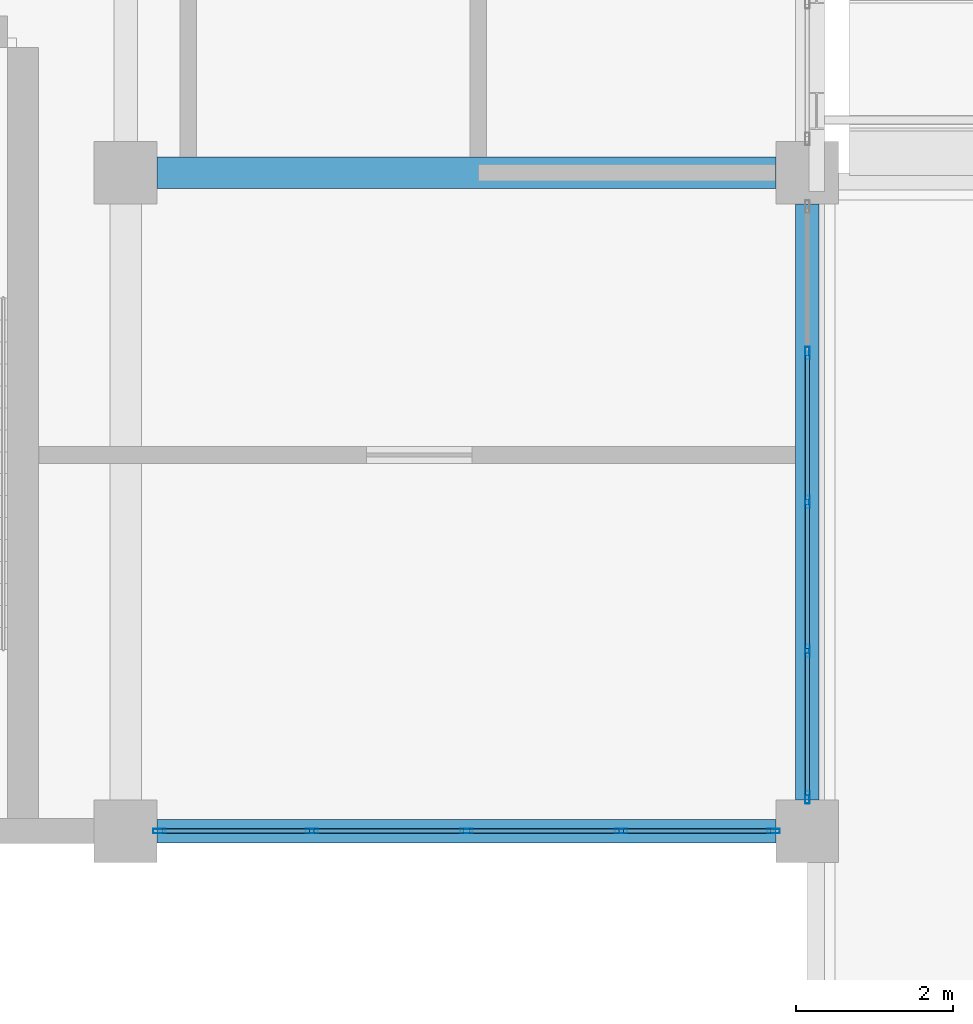
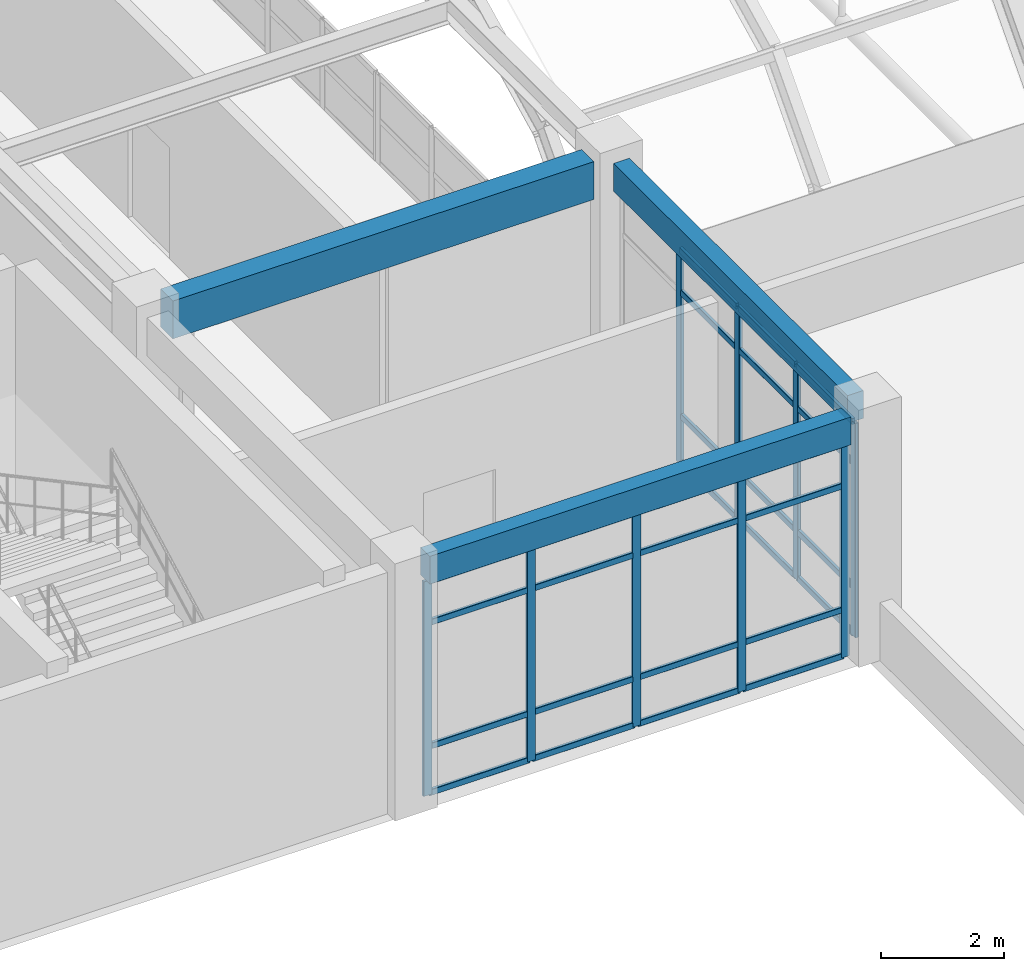
# One storey, part 38 of 124: 37 members, 3 beams, 2 elements without a shape of their own.
"""IFC4 building model written with IfcOpenShell, lengths in metres."""

from ifc_helpers import new_model, si_unit, derived_unit, direction, frame, origin, origin_2d, place, context, subcontext, project, spatial, rectangle, hollow_rectangle, extrude, material, layer, layer_set, material_profile, profile_set, type_object, element, aggregate, save


model = new_model("IFC4")

# Units and contexts
model_context = context("Model", 3, precision=1e-05, world=origin(), true_north=direction((0.0, 1.0)))
body_context = subcontext(model_context, "Body", "Model", "MODEL_VIEW")
ifc_project = project(units=[si_unit("LENGTHUNIT", "METRE"), si_unit("AREAUNIT", "SQUARE_METRE"), si_unit("VOLUMEUNIT", "CUBIC_METRE"), si_unit("PLANEANGLEUNIT", "RADIAN"), si_unit("MASSUNIT", "GRAM", prefix="KILO"), derived_unit("THERMALTRANSMITTANCEUNIT", [(si_unit("MASSUNIT", "GRAM", prefix="KILO"), 1), (si_unit("TIMEUNIT", "SECOND"), -3), (si_unit("THERMODYNAMICTEMPERATUREUNIT", "KELVIN"), -1)])], contexts=[model_context])

# Site, building, storey
site_placement = place(None, origin())
site = spatial("IfcSite", under=ifc_project, at=site_placement, CompositionType="ELEMENT")
building_placement = place(site_placement, origin())
building = spatial("IfcBuilding", under=site, at=building_placement, Name="Qinzheling Arcade Emporium", CompositionType="ELEMENT")
storey_placement = place(building_placement, frame((0.0, 0.0, 16.5)))
storey = spatial("IfcBuildingStorey", under=building, at=storey_placement, Name="L04", CompositionType="ELEMENT", Elevation=16.5)

# Curtain wall, members
ifc_material_1 = material(Name="Anodised aluminium and solar-control double glazing", Category="aluminium")
ifc_layer = layer(ifc_material_1, 0.159912109375, Name="Anodised aluminium and solar-control double glazing", Category="aluminium")
ifc_layer_set = layer_set([ifc_layer], Name="Anodised aluminium and solar-control double glazing")
curtain_wall_type = type_object("IfcCurtainWallType", Name="Atrium Clerestory Curtain Wall", PredefinedType="NOTDEFINED", material=ifc_layer_set)
curtain_wall_1_placement = place(storey_placement, origin())
curtain_wall_1 = element("IfcCurtainWall", 1, at=curtain_wall_1_placement, inside=storey, type_object=curtain_wall_type, Name="Curtain Wall CW-L04-253", PredefinedType="NOTDEFINED")
ifc_material_2 = material(Name="Anodised aluminium 6063-T6", Category="aluminium")
ifc_material_profile_1 = material_profile(ifc_material_2, hollow_rectangle(XDim=0.06005859375, YDim=0.159912109375, WallThickness=0.00390625, InnerFilletRadius=0.00390625, OuterFilletRadius=0.008056640625, at=origin_2d()), Name="RHS 160x60x4", Category="aluminium")
ifc_profile_set_1 = profile_set([ifc_material_profile_1], Name="Anodised aluminium 6063-T6")
member_type_1 = type_object("IfcMemberType", Name="Curtain Wall Mullion RHS160x60", PredefinedType="MULLION", material=ifc_profile_set_1)
member_1_placement = place(storey_placement, frame((104.39990234375, 48.09912109375, 0.0), z_axis=(0.0, 0.0, 1.0), x_axis=(1.0, 0.0, 0.0)))
member_1 = element("IfcMember", 2, at=member_1_placement, type_object=member_type_1, Name="CW03 mullion 2", PredefinedType="MULLION", context=body_context, shape_type="SweptSolid", body=[
    extrude(hollow_rectangle(XDim=0.06005859375, YDim=0.159912109375, WallThickness=0.00390625, InnerFilletRadius=0.00390625, OuterFilletRadius=0.008056640625, at=origin_2d()), origin(), (0.0, 0.0, 1.0), 4.2548828125),
])
member_2_placement = place(storey_placement, frame((104.39990234375, 46.199951171875, 0.0), z_axis=(0.0, 0.0, 1.0), x_axis=(1.0, 0.0, 0.0)))
member_2 = element("IfcMember", 3, at=member_2_placement, type_object=member_type_1, Name="CW03 mullion 3", PredefinedType="MULLION", context=body_context, shape_type="SweptSolid", body=[
    extrude(hollow_rectangle(XDim=0.06005859375, YDim=0.159912109375, WallThickness=0.00390625, InnerFilletRadius=0.00390625, OuterFilletRadius=0.008056640625, at=origin_2d()), origin(), (0.0, 0.0, 1.0), 4.2548828125),
])
member_3_placement = place(storey_placement, frame((104.39990234375, 44.301025390625, 0.0), z_axis=(0.0, 0.0, 1.0), x_axis=(1.0, 0.0, 0.0)))
member_3 = element("IfcMember", 4, at=member_3_placement, type_object=member_type_1, Name="CW03 mullion 4", PredefinedType="MULLION", context=body_context, shape_type="SweptSolid", body=[
    extrude(hollow_rectangle(XDim=0.06005859375, YDim=0.159912109375, WallThickness=0.00390625, InnerFilletRadius=0.00390625, OuterFilletRadius=0.008056640625, at=origin_2d()), origin(), (0.0, 0.0, 1.0), 4.2548828125),
])
member_4_placement = place(storey_placement, frame((104.39990234375, 42.431884765625, 0.0), z_axis=(0.0, 0.0, 1.0), x_axis=(1.0, 0.0, 0.0)))
member_4 = element("IfcMember", 5, at=member_4_placement, type_object=member_type_1, Name="CW03 mullion 5", PredefinedType="MULLION", context=body_context, shape_type="SweptSolid", body=[
    extrude(hollow_rectangle(XDim=0.06005859375, YDim=0.159912109375, WallThickness=0.00390625, InnerFilletRadius=0.00390625, OuterFilletRadius=0.008056640625, at=origin_2d()), origin(), (0.0, 0.0, 1.0), 4.2548828125),
])

curtain_wall_2_placement = place(storey_placement, origin())
curtain_wall_2 = element("IfcCurtainWall", 6, at=curtain_wall_2_placement, inside=storey, type_object=curtain_wall_type, Name="Curtain Wall CW-L04-254", PredefinedType="NOTDEFINED")
member_5_placement = place(storey_placement, frame((103.968017578125, 42.0, 0.0), z_axis=(0.0, 0.0, 1.0), x_axis=(0.0, -1.0, 0.0)))
member_5 = element("IfcMember", 7, at=member_5_placement, type_object=member_type_1, Name="CW03 mullion 1", PredefinedType="MULLION", context=body_context, shape_type="SweptSolid", body=[
    extrude(hollow_rectangle(XDim=0.06005859375, YDim=0.159912109375, WallThickness=0.00390625, InnerFilletRadius=0.00390625, OuterFilletRadius=0.008056640625, at=origin_2d()), origin(), (0.0, 0.0, 1.0), 4.2548828125),
])
member_6_placement = place(storey_placement, frame((102.02392578125, 42.0, 0.0), z_axis=(0.0, 0.0, 1.0), x_axis=(0.0, -1.0, 0.0)))
member_6 = element("IfcMember", 8, at=member_6_placement, type_object=member_type_1, Name="CW03 mullion 2", PredefinedType="MULLION", context=body_context, shape_type="SweptSolid", body=[
    extrude(hollow_rectangle(XDim=0.06005859375, YDim=0.159912109375, WallThickness=0.00390625, InnerFilletRadius=0.00390625, OuterFilletRadius=0.008056640625, at=origin_2d()), origin(), (0.0, 0.0, 1.0), 4.2548828125),
])
member_7_placement = place(storey_placement, frame((100.050048828125, 42.0, 0.0), z_axis=(0.0, 0.0, 1.0), x_axis=(0.0, -1.0, 0.0)))
member_7 = element("IfcMember", 9, at=member_7_placement, type_object=member_type_1, Name="CW03 mullion 3", PredefinedType="MULLION", context=body_context, shape_type="SweptSolid", body=[
    extrude(hollow_rectangle(XDim=0.06005859375, YDim=0.159912109375, WallThickness=0.00390625, InnerFilletRadius=0.00390625, OuterFilletRadius=0.008056640625, at=origin_2d()), origin(), (0.0, 0.0, 1.0), 4.2548828125),
])
member_8_placement = place(storey_placement, frame((98.075927734375, 42.0, 0.0), z_axis=(0.0, 0.0, 1.0), x_axis=(0.0, -1.0, 0.0)))
member_8 = element("IfcMember", 10, at=member_8_placement, type_object=member_type_1, Name="CW03 mullion 4", PredefinedType="MULLION", context=body_context, shape_type="SweptSolid", body=[
    extrude(hollow_rectangle(XDim=0.06005859375, YDim=0.159912109375, WallThickness=0.00390625, InnerFilletRadius=0.00390625, OuterFilletRadius=0.008056640625, at=origin_2d()), origin(), (0.0, 0.0, 1.0), 4.2548828125),
])
member_9_placement = place(storey_placement, frame((96.132080078125, 42.0, 0.0), z_axis=(0.0, 0.0, 1.0), x_axis=(0.0, -1.0, 0.0)))
member_9 = element("IfcMember", 11, at=member_9_placement, type_object=member_type_1, Name="CW03 mullion 5", PredefinedType="MULLION", context=body_context, shape_type="SweptSolid", body=[
    extrude(hollow_rectangle(XDim=0.06005859375, YDim=0.159912109375, WallThickness=0.00390625, InnerFilletRadius=0.00390625, OuterFilletRadius=0.008056640625, at=origin_2d()), origin(), (0.0, 0.0, 1.0), 4.2548828125),
])

# Member
ifc_material_profile_2 = material_profile(ifc_material_2, hollow_rectangle(XDim=0.06005859375, YDim=0.1201171875, WallThickness=0.00390625, InnerFilletRadius=0.00390625, OuterFilletRadius=0.008056640625, at=origin_2d()), Name="RHS 120x60x4", Category="aluminium")
ifc_profile_set_2 = profile_set([ifc_material_profile_2], Name="Anodised aluminium 6063-T6")
member_type_2 = type_object("IfcMemberType", Name="Curtain Wall Transom RHS120x60", PredefinedType="USERDEFINED", material=ifc_profile_set_2)
member_10_placement = place(storey_placement, frame((104.39990234375, 48.069091796875, 0.030029296875), z_axis=(0.0, -1.0, 0.0), x_axis=(1.0, 0.0, 0.0)))
member_10 = element("IfcMember", 12, at=member_10_placement, type_object=member_type_2, Name="CW03 transom 2.1", ObjectType="TRANSOM", PredefinedType="USERDEFINED", context=body_context, shape_type="SweptSolid", body=[
    extrude(hollow_rectangle(XDim=0.06005859375, YDim=0.1201171875, WallThickness=0.00390625, InnerFilletRadius=0.00390625, OuterFilletRadius=0.008056640625, at=origin_2d()), origin(), (0.0, 0.0, 1.0), 1.839111328125),
])

member_11_placement = place(storey_placement, frame((104.39990234375, 48.069091796875, 0.949951171875), z_axis=(0.0, -1.0, 0.0), x_axis=(1.0, 0.0, 0.0)))
member_11 = element("IfcMember", 13, at=member_11_placement, type_object=member_type_2, Name="CW03 transom 2.2", ObjectType="TRANSOM", PredefinedType="USERDEFINED", context=body_context, shape_type="SweptSolid", body=[
    extrude(hollow_rectangle(XDim=0.06005859375, YDim=0.1201171875, WallThickness=0.00390625, InnerFilletRadius=0.00390625, OuterFilletRadius=0.008056640625, at=origin_2d()), origin(), (0.0, 0.0, 1.0), 1.839111328125),
])

member_12_placement = place(storey_placement, frame((104.39990234375, 48.069091796875, 3.405029296875), z_axis=(0.0, -1.0, 0.0), x_axis=(1.0, 0.0, 0.0)))
member_12 = element("IfcMember", 14, at=member_12_placement, type_object=member_type_2, Name="CW03 transom 2.3", ObjectType="TRANSOM", PredefinedType="USERDEFINED", context=body_context, shape_type="SweptSolid", body=[
    extrude(hollow_rectangle(XDim=0.06005859375, YDim=0.1201171875, WallThickness=0.00390625, InnerFilletRadius=0.00390625, OuterFilletRadius=0.008056640625, at=origin_2d()), origin(), (0.0, 0.0, 1.0), 1.839111328125),
])

member_13_placement = place(storey_placement, frame((104.39990234375, 48.069091796875, 4.22509765625), z_axis=(0.0, -1.0, 0.0), x_axis=(1.0, 0.0, 0.0)))
member_13 = element("IfcMember", 15, at=member_13_placement, type_object=member_type_2, Name="CW03 transom 2.4", ObjectType="TRANSOM", PredefinedType="USERDEFINED", context=body_context, shape_type="SweptSolid", body=[
    extrude(hollow_rectangle(XDim=0.06005859375, YDim=0.1201171875, WallThickness=0.00390625, InnerFilletRadius=0.00390625, OuterFilletRadius=0.008056640625, at=origin_2d()), origin(), (0.0, 0.0, 1.0), 1.839111328125),
])

member_14_placement = place(storey_placement, frame((104.39990234375, 46.169921875, 0.030029296875), z_axis=(0.0, -1.0, 0.0), x_axis=(1.0, 0.0, 0.0)))
member_14 = element("IfcMember", 16, at=member_14_placement, type_object=member_type_2, Name="CW03 transom 3.1", ObjectType="TRANSOM", PredefinedType="USERDEFINED", context=body_context, shape_type="SweptSolid", body=[
    extrude(hollow_rectangle(XDim=0.06005859375, YDim=0.1201171875, WallThickness=0.00390625, InnerFilletRadius=0.00390625, OuterFilletRadius=0.008056640625, at=origin_2d()), origin(), (0.0, 0.0, 1.0), 1.8388671875),
])

member_15_placement = place(storey_placement, frame((104.39990234375, 46.169921875, 0.949951171875), z_axis=(0.0, -1.0, 0.0), x_axis=(1.0, 0.0, 0.0)))
member_15 = element("IfcMember", 17, at=member_15_placement, type_object=member_type_2, Name="CW03 transom 3.2", ObjectType="TRANSOM", PredefinedType="USERDEFINED", context=body_context, shape_type="SweptSolid", body=[
    extrude(hollow_rectangle(XDim=0.06005859375, YDim=0.1201171875, WallThickness=0.00390625, InnerFilletRadius=0.00390625, OuterFilletRadius=0.008056640625, at=origin_2d()), origin(), (0.0, 0.0, 1.0), 1.8388671875),
])

member_16_placement = place(storey_placement, frame((104.39990234375, 46.169921875, 3.405029296875), z_axis=(0.0, -1.0, 0.0), x_axis=(1.0, 0.0, 0.0)))
member_16 = element("IfcMember", 18, at=member_16_placement, type_object=member_type_2, Name="CW03 transom 3.3", ObjectType="TRANSOM", PredefinedType="USERDEFINED", context=body_context, shape_type="SweptSolid", body=[
    extrude(hollow_rectangle(XDim=0.06005859375, YDim=0.1201171875, WallThickness=0.00390625, InnerFilletRadius=0.00390625, OuterFilletRadius=0.008056640625, at=origin_2d()), origin(), (0.0, 0.0, 1.0), 1.8388671875),
])

member_17_placement = place(storey_placement, frame((104.39990234375, 46.169921875, 4.22509765625), z_axis=(0.0, -1.0, 0.0), x_axis=(1.0, 0.0, 0.0)))
member_17 = element("IfcMember", 19, at=member_17_placement, type_object=member_type_2, Name="CW03 transom 3.4", ObjectType="TRANSOM", PredefinedType="USERDEFINED", context=body_context, shape_type="SweptSolid", body=[
    extrude(hollow_rectangle(XDim=0.06005859375, YDim=0.1201171875, WallThickness=0.00390625, InnerFilletRadius=0.00390625, OuterFilletRadius=0.008056640625, at=origin_2d()), origin(), (0.0, 0.0, 1.0), 1.8388671875),
])

member_18_placement = place(storey_placement, frame((104.39990234375, 44.27099609375, 0.030029296875), z_axis=(0.0, -1.0, 0.0), x_axis=(1.0, 0.0, 0.0)))
member_18 = element("IfcMember", 20, at=member_18_placement, type_object=member_type_2, Name="CW03 transom 4.1", ObjectType="TRANSOM", PredefinedType="USERDEFINED", context=body_context, shape_type="SweptSolid", body=[
    extrude(hollow_rectangle(XDim=0.06005859375, YDim=0.1201171875, WallThickness=0.00390625, InnerFilletRadius=0.00390625, OuterFilletRadius=0.008056640625, at=origin_2d()), origin(), (0.0, 0.0, 1.0), 1.80908203125),
])

member_19_placement = place(storey_placement, frame((104.39990234375, 44.27099609375, 0.949951171875), z_axis=(0.0, -1.0, 0.0), x_axis=(1.0, 0.0, 0.0)))
member_19 = element("IfcMember", 21, at=member_19_placement, type_object=member_type_2, Name="CW03 transom 4.2", ObjectType="TRANSOM", PredefinedType="USERDEFINED", context=body_context, shape_type="SweptSolid", body=[
    extrude(hollow_rectangle(XDim=0.06005859375, YDim=0.1201171875, WallThickness=0.00390625, InnerFilletRadius=0.00390625, OuterFilletRadius=0.008056640625, at=origin_2d()), origin(), (0.0, 0.0, 1.0), 1.80908203125),
])

member_20_placement = place(storey_placement, frame((104.39990234375, 44.27099609375, 3.405029296875), z_axis=(0.0, -1.0, 0.0), x_axis=(1.0, 0.0, 0.0)))
member_20 = element("IfcMember", 22, at=member_20_placement, type_object=member_type_2, Name="CW03 transom 4.3", ObjectType="TRANSOM", PredefinedType="USERDEFINED", context=body_context, shape_type="SweptSolid", body=[
    extrude(hollow_rectangle(XDim=0.06005859375, YDim=0.1201171875, WallThickness=0.00390625, InnerFilletRadius=0.00390625, OuterFilletRadius=0.008056640625, at=origin_2d()), origin(), (0.0, 0.0, 1.0), 1.80908203125),
])

member_21_placement = place(storey_placement, frame((104.39990234375, 44.27099609375, 4.22509765625), z_axis=(0.0, -1.0, 0.0), x_axis=(1.0, 0.0, 0.0)))
member_21 = element("IfcMember", 23, at=member_21_placement, type_object=member_type_2, Name="CW03 transom 4.4", ObjectType="TRANSOM", PredefinedType="USERDEFINED", context=body_context, shape_type="SweptSolid", body=[
    extrude(hollow_rectangle(XDim=0.06005859375, YDim=0.1201171875, WallThickness=0.00390625, InnerFilletRadius=0.00390625, OuterFilletRadius=0.008056640625, at=origin_2d()), origin(), (0.0, 0.0, 1.0), 1.80908203125),
])

aggregate(curtain_wall_1, [member_1, member_2, member_3, member_4, member_10, member_11, member_12, member_13, member_14, member_15, member_16, member_17, member_18, member_19, member_20, member_21])

member_22_placement = place(storey_placement, frame((103.93798828125, 42.0, 0.030029296875), z_axis=(-1.0, 0.0, 0.0), x_axis=(0.0, -1.0, 0.0)))
member_22 = element("IfcMember", 24, at=member_22_placement, type_object=member_type_2, Name="CW03 transom 1.1", ObjectType="TRANSOM", PredefinedType="USERDEFINED", context=body_context, shape_type="SweptSolid", body=[
    extrude(hollow_rectangle(XDim=0.06005859375, YDim=0.1201171875, WallThickness=0.00390625, InnerFilletRadius=0.00390625, OuterFilletRadius=0.008056640625, at=origin_2d()), origin(), (0.0, 0.0, 1.0), 1.884033203125),
])

member_23_placement = place(storey_placement, frame((103.93798828125, 42.0, 0.949951171875), z_axis=(-1.0, 0.0, 0.0), x_axis=(0.0, -1.0, 0.0)))
member_23 = element("IfcMember", 25, at=member_23_placement, type_object=member_type_2, Name="CW03 transom 1.2", ObjectType="TRANSOM", PredefinedType="USERDEFINED", context=body_context, shape_type="SweptSolid", body=[
    extrude(hollow_rectangle(XDim=0.06005859375, YDim=0.1201171875, WallThickness=0.00390625, InnerFilletRadius=0.00390625, OuterFilletRadius=0.008056640625, at=origin_2d()), origin(), (0.0, 0.0, 1.0), 1.884033203125),
])

member_24_placement = place(storey_placement, frame((103.93798828125, 42.0, 3.405029296875), z_axis=(-1.0, 0.0, 0.0), x_axis=(0.0, -1.0, 0.0)))
member_24 = element("IfcMember", 26, at=member_24_placement, type_object=member_type_2, Name="CW03 transom 1.3", ObjectType="TRANSOM", PredefinedType="USERDEFINED", context=body_context, shape_type="SweptSolid", body=[
    extrude(hollow_rectangle(XDim=0.06005859375, YDim=0.1201171875, WallThickness=0.00390625, InnerFilletRadius=0.00390625, OuterFilletRadius=0.008056640625, at=origin_2d()), origin(), (0.0, 0.0, 1.0), 1.884033203125),
])

member_25_placement = place(storey_placement, frame((103.93798828125, 42.0, 4.22509765625), z_axis=(-1.0, 0.0, 0.0), x_axis=(0.0, -1.0, 0.0)))
member_25 = element("IfcMember", 27, at=member_25_placement, type_object=member_type_2, Name="CW03 transom 1.4", ObjectType="TRANSOM", PredefinedType="USERDEFINED", context=body_context, shape_type="SweptSolid", body=[
    extrude(hollow_rectangle(XDim=0.06005859375, YDim=0.1201171875, WallThickness=0.00390625, InnerFilletRadius=0.00390625, OuterFilletRadius=0.008056640625, at=origin_2d()), origin(), (0.0, 0.0, 1.0), 1.884033203125),
])

member_26_placement = place(storey_placement, frame((101.993896484375, 42.0, 0.030029296875), z_axis=(-1.0, 0.0, 0.0), x_axis=(0.0, -1.0, 0.0)))
member_26 = element("IfcMember", 28, at=member_26_placement, type_object=member_type_2, Name="CW03 transom 2.1", ObjectType="TRANSOM", PredefinedType="USERDEFINED", context=body_context, shape_type="SweptSolid", body=[
    extrude(hollow_rectangle(XDim=0.06005859375, YDim=0.1201171875, WallThickness=0.00390625, InnerFilletRadius=0.00390625, OuterFilletRadius=0.008056640625, at=origin_2d()), origin(), (0.0, 0.0, 1.0), 1.913818359375),
])

member_27_placement = place(storey_placement, frame((101.993896484375, 42.0, 0.949951171875), z_axis=(-1.0, 0.0, 0.0), x_axis=(0.0, -1.0, 0.0)))
member_27 = element("IfcMember", 29, at=member_27_placement, type_object=member_type_2, Name="CW03 transom 2.2", ObjectType="TRANSOM", PredefinedType="USERDEFINED", context=body_context, shape_type="SweptSolid", body=[
    extrude(hollow_rectangle(XDim=0.06005859375, YDim=0.1201171875, WallThickness=0.00390625, InnerFilletRadius=0.00390625, OuterFilletRadius=0.008056640625, at=origin_2d()), origin(), (0.0, 0.0, 1.0), 1.913818359375),
])

member_28_placement = place(storey_placement, frame((101.993896484375, 42.0, 3.405029296875), z_axis=(-1.0, 0.0, 0.0), x_axis=(0.0, -1.0, 0.0)))
member_28 = element("IfcMember", 30, at=member_28_placement, type_object=member_type_2, Name="CW03 transom 2.3", ObjectType="TRANSOM", PredefinedType="USERDEFINED", context=body_context, shape_type="SweptSolid", body=[
    extrude(hollow_rectangle(XDim=0.06005859375, YDim=0.1201171875, WallThickness=0.00390625, InnerFilletRadius=0.00390625, OuterFilletRadius=0.008056640625, at=origin_2d()), origin(), (0.0, 0.0, 1.0), 1.913818359375),
])

member_29_placement = place(storey_placement, frame((101.993896484375, 42.0, 4.22509765625), z_axis=(-1.0, 0.0, 0.0), x_axis=(0.0, -1.0, 0.0)))
member_29 = element("IfcMember", 31, at=member_29_placement, type_object=member_type_2, Name="CW03 transom 2.4", ObjectType="TRANSOM", PredefinedType="USERDEFINED", context=body_context, shape_type="SweptSolid", body=[
    extrude(hollow_rectangle(XDim=0.06005859375, YDim=0.1201171875, WallThickness=0.00390625, InnerFilletRadius=0.00390625, OuterFilletRadius=0.008056640625, at=origin_2d()), origin(), (0.0, 0.0, 1.0), 1.913818359375),
])

member_30_placement = place(storey_placement, frame((100.02001953125, 42.0, 0.030029296875), z_axis=(-1.0, 0.0, 0.0), x_axis=(0.0, -1.0, 0.0)))
member_30 = element("IfcMember", 32, at=member_30_placement, type_object=member_type_2, Name="CW03 transom 3.1", ObjectType="TRANSOM", PredefinedType="USERDEFINED", context=body_context, shape_type="SweptSolid", body=[
    extrude(hollow_rectangle(XDim=0.06005859375, YDim=0.1201171875, WallThickness=0.00390625, InnerFilletRadius=0.00390625, OuterFilletRadius=0.008056640625, at=origin_2d()), origin(), (0.0, 0.0, 1.0), 1.9140625),
])

member_31_placement = place(storey_placement, frame((100.02001953125, 42.0, 0.949951171875), z_axis=(-1.0, 0.0, 0.0), x_axis=(0.0, -1.0, 0.0)))
member_31 = element("IfcMember", 33, at=member_31_placement, type_object=member_type_2, Name="CW03 transom 3.2", ObjectType="TRANSOM", PredefinedType="USERDEFINED", context=body_context, shape_type="SweptSolid", body=[
    extrude(hollow_rectangle(XDim=0.06005859375, YDim=0.1201171875, WallThickness=0.00390625, InnerFilletRadius=0.00390625, OuterFilletRadius=0.008056640625, at=origin_2d()), origin(), (0.0, 0.0, 1.0), 1.9140625),
])

member_32_placement = place(storey_placement, frame((100.02001953125, 42.0, 3.405029296875), z_axis=(-1.0, 0.0, 0.0), x_axis=(0.0, -1.0, 0.0)))
member_32 = element("IfcMember", 34, at=member_32_placement, type_object=member_type_2, Name="CW03 transom 3.3", ObjectType="TRANSOM", PredefinedType="USERDEFINED", context=body_context, shape_type="SweptSolid", body=[
    extrude(hollow_rectangle(XDim=0.06005859375, YDim=0.1201171875, WallThickness=0.00390625, InnerFilletRadius=0.00390625, OuterFilletRadius=0.008056640625, at=origin_2d()), origin(), (0.0, 0.0, 1.0), 1.9140625),
])

member_33_placement = place(storey_placement, frame((100.02001953125, 42.0, 4.22509765625), z_axis=(-1.0, 0.0, 0.0), x_axis=(0.0, -1.0, 0.0)))
member_33 = element("IfcMember", 35, at=member_33_placement, type_object=member_type_2, Name="CW03 transom 3.4", ObjectType="TRANSOM", PredefinedType="USERDEFINED", context=body_context, shape_type="SweptSolid", body=[
    extrude(hollow_rectangle(XDim=0.06005859375, YDim=0.1201171875, WallThickness=0.00390625, InnerFilletRadius=0.00390625, OuterFilletRadius=0.008056640625, at=origin_2d()), origin(), (0.0, 0.0, 1.0), 1.9140625),
])

member_34_placement = place(storey_placement, frame((98.0458984375, 42.0, 0.030029296875), z_axis=(-1.0, 0.0, 0.0), x_axis=(0.0, -1.0, 0.0)))
member_34 = element("IfcMember", 36, at=member_34_placement, type_object=member_type_2, Name="CW03 transom 4.1", ObjectType="TRANSOM", PredefinedType="USERDEFINED", context=body_context, shape_type="SweptSolid", body=[
    extrude(hollow_rectangle(XDim=0.06005859375, YDim=0.1201171875, WallThickness=0.00390625, InnerFilletRadius=0.00390625, OuterFilletRadius=0.008056640625, at=origin_2d()), origin(), (0.0, 0.0, 1.0), 1.8837890625),
])

member_35_placement = place(storey_placement, frame((98.0458984375, 42.0, 0.949951171875), z_axis=(-1.0, 0.0, 0.0), x_axis=(0.0, -1.0, 0.0)))
member_35 = element("IfcMember", 37, at=member_35_placement, type_object=member_type_2, Name="CW03 transom 4.2", ObjectType="TRANSOM", PredefinedType="USERDEFINED", context=body_context, shape_type="SweptSolid", body=[
    extrude(hollow_rectangle(XDim=0.06005859375, YDim=0.1201171875, WallThickness=0.00390625, InnerFilletRadius=0.00390625, OuterFilletRadius=0.008056640625, at=origin_2d()), origin(), (0.0, 0.0, 1.0), 1.8837890625),
])

member_36_placement = place(storey_placement, frame((98.0458984375, 42.0, 3.405029296875), z_axis=(-1.0, 0.0, 0.0), x_axis=(0.0, -1.0, 0.0)))
member_36 = element("IfcMember", 38, at=member_36_placement, type_object=member_type_2, Name="CW03 transom 4.3", ObjectType="TRANSOM", PredefinedType="USERDEFINED", context=body_context, shape_type="SweptSolid", body=[
    extrude(hollow_rectangle(XDim=0.06005859375, YDim=0.1201171875, WallThickness=0.00390625, InnerFilletRadius=0.00390625, OuterFilletRadius=0.008056640625, at=origin_2d()), origin(), (0.0, 0.0, 1.0), 1.8837890625),
])

member_37_placement = place(storey_placement, frame((98.0458984375, 42.0, 4.22509765625), z_axis=(-1.0, 0.0, 0.0), x_axis=(0.0, -1.0, 0.0)))
member_37 = element("IfcMember", 39, at=member_37_placement, type_object=member_type_2, Name="CW03 transom 4.4", ObjectType="TRANSOM", PredefinedType="USERDEFINED", context=body_context, shape_type="SweptSolid", body=[
    extrude(hollow_rectangle(XDim=0.06005859375, YDim=0.1201171875, WallThickness=0.00390625, InnerFilletRadius=0.00390625, OuterFilletRadius=0.008056640625, at=origin_2d()), origin(), (0.0, 0.0, 1.0), 1.8837890625),
])

aggregate(curtain_wall_2, [member_5, member_6, member_7, member_8, member_9, member_22, member_23, member_24, member_25, member_26, member_27, member_28, member_29, member_30, member_31, member_32, member_33, member_34, member_35, member_36, member_37])

# Beams
ifc_material_3 = material(Name="Concrete C40", Category="concrete")
ifc_material_profile_3 = material_profile(ifc_material_3, rectangle(XDim=0.39990234375, YDim=0.75, at=origin_2d()), Name="RC 400x750", Category="concrete")
ifc_profile_set_3 = profile_set([ifc_material_profile_3], Name="Concrete C40")
beam_type_1 = type_object("IfcBeamType", Name="RC Interior Tie Beam 400x750 C40", PredefinedType="BEAM", material=ifc_profile_set_3)
beam_1_placement = place(storey_placement, frame((96.10009765625, 50.39990234375, 4.445068359375), z_axis=(1.0, 0.0, 0.0), x_axis=(0.0, 1.0, 0.0)))
element("IfcBeam", 40, at=beam_1_placement, inside=storey, type_object=beam_type_1, Name="Beam BM-L04-X-G-12", PredefinedType="BEAM", context=body_context, shape_type="SweptSolid", body=[
    extrude(rectangle(XDim=0.39990234375, YDim=0.75, at=origin_2d()), origin(), (0.0, 0.0, 1.0), 7.89990234375),
])
ifc_material_profile_4 = material_profile(ifc_material_3, rectangle(XDim=0.300048828125, YDim=0.550048828125, at=origin_2d()), Name="RC 300x550", Category="concrete")
ifc_profile_set_4 = profile_set([ifc_material_profile_4], Name="Concrete C40")
beam_type_2 = type_object("IfcBeamType", Name="RC Terrace Spandrel Beam 300x550 C40", PredefinedType="SPANDREL", material=ifc_profile_set_4)
beam_2_placement = place(storey_placement, frame((96.10009765625, 42.0, 4.544921875), z_axis=(1.0, 0.0, 0.0), x_axis=(0.0, 1.0, 0.0)))
element("IfcBeam", 41, at=beam_2_placement, inside=storey, type_object=beam_type_2, Name="Beam BM-L04-X-F-12", PredefinedType="SPANDREL", context=body_context, shape_type="SweptSolid", body=[
    extrude(rectangle(XDim=0.300048828125, YDim=0.550048828125, at=origin_2d()), origin(), (0.0, 0.0, 1.0), 7.89990234375),
])
beam_3_placement = place(storey_placement, frame((104.39990234375, 42.39990234375, 4.544921875), z_axis=(0.0, 1.0, 0.0), x_axis=(-1.0, 0.0, 0.0)))
element("IfcBeam", 42, at=beam_3_placement, inside=storey, type_object=beam_type_2, Name="Beam BM-L04-Y-13-F", PredefinedType="SPANDREL", context=body_context, shape_type="SweptSolid", body=[
    extrude(rectangle(XDim=0.300048828125, YDim=0.550048828125, at=origin_2d()), origin(), (0.0, 0.0, 1.0), 7.60009765625),
])

save(model, "model.ifc")
